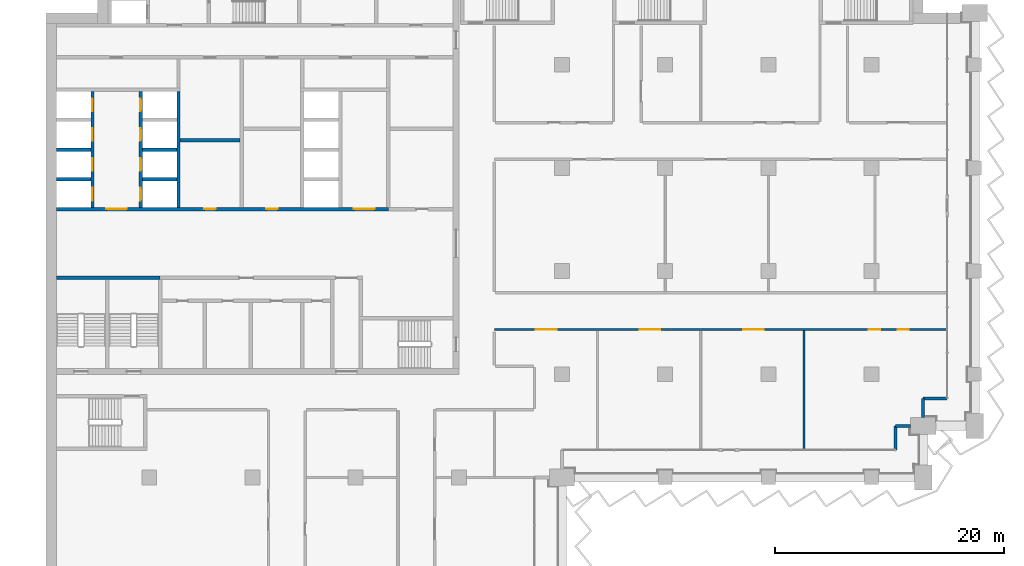
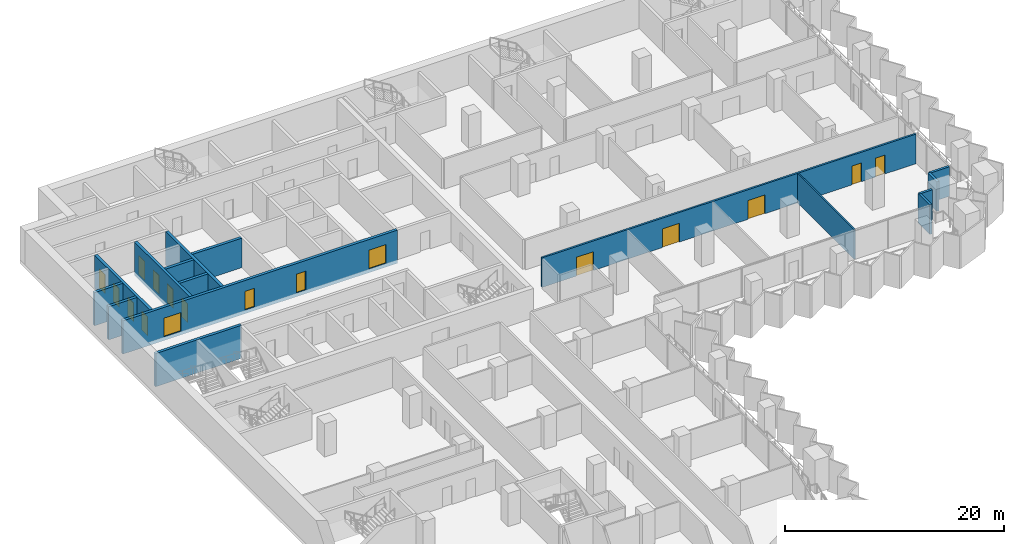
# One storey, part 12 of 22: 17 doors, 16 walls, 17 openings.
"""IFC4 building model written with IfcOpenShell, lengths in metres."""

import ifcopenshell
import ifcopenshell.guid

model = None  # the IFC model being written
_history = None  # IfcOwnerHistory: only IFC2X3 demands one
_inside = {}  # id of a spatial element -> (the spatial element, [elements in it])
_under = {}  # id of a project, library or spatial element -> (it, [spatial elements below it])
_declared = {}  # id of a project -> (the project, [libraries it declares])
_typed = {}  # id of a type object -> (the type object, [elements of that type])
_made_of = {}  # id of a material, layer set ... -> (it, [elements and type objects made of it])


def new_model(schema):
    """Start an empty IFC model of exactly this schema.

    Asked for "IFC4X3", IfcOpenShell would pick the latest addendum, in which some entities
    have other attributes; the version numbers below select the first issue.
    IFC2X3 requires an IfcOwnerHistory on every rooted entity: one is made here for all.
    """
    global model, _history
    if schema == "IFC4X3":
        model = ifcopenshell.file(schema_version=(4, 3, 0, 0))
    else:
        model = ifcopenshell.file(schema=schema)
    _inside.clear()
    _under.clear()
    _declared.clear()
    _typed.clear()
    _made_of.clear()
    _history = None
    if model.schema == "IFC2X3":
        org = make("IfcOrganization", Name="unknown")
        user = make(
            "IfcPersonAndOrganization",
            ThePerson=make("IfcPerson", FamilyName="unknown"),
            TheOrganization=org,
        )
        app = make(
            "IfcApplication",
            ApplicationDeveloper=org,
            Version="unknown",
            ApplicationFullName="unknown",
            ApplicationIdentifier="unknown",
        )
        _history = make(
            "IfcOwnerHistory",
            OwningUser=user,
            OwningApplication=app,
            ChangeAction="ADDED",
            CreationDate=0,
        )
    return model


def make(cls, **values):
    """One entity of the class cls with the attributes given. An attribute that is None is left unset."""
    return model.create_entity(
        cls, **{name: value for name, value in values.items() if value is not None}
    )


def rooted(cls, **values):
    """An entity with a GlobalId (a new one), such as an element, a storey or a relation."""
    return make(cls, GlobalId=ifcopenshell.guid.new(), OwnerHistory=_history, **values)


def si_unit(unit_type, name, prefix=None):
    """IfcSIUnit, for example si_unit("LENGTHUNIT", "METRE", prefix="MILLI")."""
    return make("IfcSIUnit", UnitType=unit_type, Prefix=prefix, Name=name)


def assignment(units):
    """IfcUnitAssignment: the units of a project."""
    return None if units is None else make("IfcUnitAssignment", Units=units)


def point(xyz):
    """IfcCartesianPoint."""
    return None if xyz is None else make("IfcCartesianPoint", Coordinates=xyz)


def direction(xyz):
    """IfcDirection."""
    return None if xyz is None else make("IfcDirection", DirectionRatios=xyz)


def frame(location, z_axis=None, x_axis=None):
    """IfcAxis2Placement3D, a coordinate frame: its origin and axes. An axis left out is left unset."""
    return make(
        "IfcAxis2Placement3D",
        Location=point(location),
        Axis=direction(z_axis),
        RefDirection=direction(x_axis),
    )


def frame_2d(location, x_axis=None):
    """IfcAxis2Placement2D, a coordinate frame in the plane: its origin and x axis."""
    return make(
        "IfcAxis2Placement2D", Location=point(location), RefDirection=direction(x_axis)
    )


def origin():
    """The frame at (0, 0, 0) with its axes left unset."""
    return frame((0.0, 0.0, 0.0))


def place(relative_to, where):
    """IfcLocalPlacement: puts the frame where relative to a parent placement (None: the world)."""
    return make(
        "IfcLocalPlacement", PlacementRelTo=relative_to, RelativePlacement=where
    )


def context(
    kind, dimensions, precision=None, world=None, true_north=None, identifier=None
):
    """IfcGeometricRepresentationContext, for example the 3D "Model" context."""
    return make(
        "IfcGeometricRepresentationContext",
        ContextIdentifier=identifier,
        ContextType=kind,
        CoordinateSpaceDimension=dimensions,
        Precision=precision,
        WorldCoordinateSystem=world,
        TrueNorth=true_north,
    )


def subcontext(parent, identifier, kind, view, scale=None):
    """IfcGeometricRepresentationSubContext, for example "Body" below "Model"."""
    return make(
        "IfcGeometricRepresentationSubContext",
        ContextIdentifier=identifier,
        ContextType=kind,
        ParentContext=parent,
        TargetScale=scale,
        TargetView=view,
    )


def project(units=None, contexts=None):
    """IfcProject with its units and contexts."""
    return rooted(
        "IfcProject",
        Name="project",
        RepresentationContexts=contexts,
        UnitsInContext=assignment(units),
    )


def spatial(cls, under=None, at=None, **own):
    """A site, building, storey or space (cls), placed at a placement, below another one or the project."""
    s = rooted(cls, ObjectPlacement=at, **own)
    if under is not None:
        _under.setdefault(under.id(), (under, []))[1].append(s)
    return s


def profile(cls, at=None, kind="AREA", **sizes):
    """A parametric profile (cls). Its sizes go by their IFC names, for example OverallWidth=200.0."""
    return make(cls, ProfileType=kind, Position=at, **sizes)


def rectangle(**sizes):
    """IfcRectangleProfileDef."""
    return profile("IfcRectangleProfileDef", **sizes)


def extrude(swept, where, along, depth):
    """IfcExtrudedAreaSolid: the profile swept, set in the frame where, extruded along a direction by depth."""
    return make(
        "IfcExtrudedAreaSolid",
        SweptArea=swept,
        Position=where,
        ExtrudedDirection=direction(along),
        Depth=depth,
    )


def shape(context_of_items, identifier, shape_type, items):
    """IfcShapeRepresentation: the items that make up one representation, for example the "Body"."""
    return make(
        "IfcShapeRepresentation",
        ContextOfItems=context_of_items,
        RepresentationIdentifier=identifier,
        RepresentationType=shape_type,
        Items=items,
    )


def material(Name=None, Category=None):
    """IfcMaterial."""
    return make("IfcMaterial", Name=Name, Category=Category)


def layer(
    of_material, thickness, ventilated=None, Name=None, Category=None, Priority=None
):
    """IfcMaterialLayer: one layer of a wall or slab, of a material (None: an air gap)."""
    return make(
        "IfcMaterialLayer",
        Material=of_material,
        LayerThickness=thickness,
        IsVentilated=ventilated,
        Name=Name,
        Category=Category,
        Priority=Priority,
    )


def layer_set(layers, Name=None):
    """IfcMaterialLayerSet."""
    return make("IfcMaterialLayerSet", MaterialLayers=layers, LayerSetName=Name)


def made_of(thing, what):
    """Note that an element or type object is made of a material, layer set ...; save() writes the relation."""
    if what is not None:
        _made_of.setdefault(what.id(), (what, []))[1].append(thing)
    return thing


def type_object(cls, material=None, **own):
    """A type object (cls), such as IfcWallType, which elements share."""
    return made_of(rooted(cls, **own), material)


def element(
    cls,
    number,
    at=None,
    inside=None,
    cuts=None,
    type_object=None,
    material=None,
    context=None,
    identifier="Body",
    shape_type=None,
    held_by="IfcProductDefinitionShape",
    body=None,
    shapes=None,
    **own,
):
    """One element of the class cls, such as IfcWall. Its Tag is "e" and its number.

    at: its placement. inside: the storey or other place that contains it. cuts: it is an
    opening in that element (IfcRelVoidsElement). A single representation is given by context,
    identifier, shape_type and body (its items); several are given by shapes. held_by: the class
    of the entity that holds the representations. save() writes the other relations.
    """
    e = rooted(cls, Tag="e%d" % number, ObjectPlacement=at, **own)
    if body is not None:
        shapes = [shape(context, identifier, shape_type, body)]
    if shapes is not None:
        e.Representation = make(held_by, Representations=shapes)
    if inside is not None:
        _inside.setdefault(inside.id(), (inside, []))[1].append(e)
    if cuts is not None:
        rooted(
            "IfcRelVoidsElement", RelatingBuildingElement=cuts, RelatedOpeningElement=e
        )
    if type_object is not None:
        _typed.setdefault(type_object.id(), (type_object, []))[1].append(e)
    return made_of(e, material)


def fill(opening, filler):
    """IfcRelFillsElement: the door or window that sits in an opening."""
    return rooted(
        "IfcRelFillsElement",
        RelatingOpeningElement=opening,
        RelatedBuildingElement=filler,
    )


def aggregate(whole, parts):
    """IfcRelAggregates: a whole, such as a stair, and the parts it consists of."""
    return rooted("IfcRelAggregates", RelatingObject=whole, RelatedObjects=parts)


def save(model, path):
    """Write the relations noted so far, then the file.

    IfcRelAggregates (storeys below a building ...), IfcRelContainedInSpatialStructure (elements
    in a storey), IfcRelDefinesByType, IfcRelAssociatesMaterial and IfcRelDeclares: one each for
    every whole, place, type object, material and project.
    """
    for whole, parts in _under.values():
        aggregate(whole, parts)
    for where, things in _inside.values():
        rooted(
            "IfcRelContainedInSpatialStructure",
            RelatedElements=things,
            RelatingStructure=where,
        )
    for kind, things in _typed.values():
        rooted("IfcRelDefinesByType", RelatedObjects=things, RelatingType=kind)
    for what, things in _made_of.values():
        rooted("IfcRelAssociatesMaterial", RelatedObjects=things, RelatingMaterial=what)
    for by, libraries in _declared.values():
        rooted("IfcRelDeclares", RelatingContext=by, RelatedDefinitions=libraries)
    model.write(path)


model = new_model("IFC4")

# Units and contexts
model_context = context("Model", 3, precision=1e-05, world=origin(), true_north=direction((0.0, 1.0)))
body_context = subcontext(model_context, "Body", "Model", "MODEL_VIEW")
ifc_project = project(units=[si_unit("LENGTHUNIT", "METRE"), si_unit("AREAUNIT", "SQUARE_METRE"), si_unit("VOLUMEUNIT", "CUBIC_METRE"), si_unit("PLANEANGLEUNIT", "RADIAN"), si_unit("MASSUNIT", "GRAM", prefix="KILO")], contexts=[model_context])

# Site, building, storey
site_placement = place(None, origin())
site = spatial("IfcSite", under=ifc_project, at=site_placement, CompositionType="ELEMENT")
building_placement = place(site_placement, origin())
building = spatial("IfcBuilding", under=site, at=building_placement, Name="Hunhe Ridgeline Campus", CompositionType="ELEMENT")
storey_placement = place(building_placement, frame((0.0, 0.0, 88.5)))
storey = spatial("IfcBuildingStorey", under=building, at=storey_placement, Name="L21", CompositionType="ELEMENT", Elevation=88.5)

# Walls
ifc_material_1 = material(Name="Masonry concrete blockwork", Category="masonry")
ifc_layer_1 = layer(ifc_material_1, 0.300048828125)
ifc_layer_set_1 = layer_set([ifc_layer_1], Name="Core room partition 300 concrete block")
wall_type_1 = type_object("IfcWallType", Name="Core room partition 300 concrete block", PredefinedType="PARTITIONING", material=ifc_layer_set_1)
wall_1_placement = place(storey_placement, frame((11.699951171875, 83.39990234375, 0.0), z_axis=(0.0, 0.0, 1.0), x_axis=(1.0, 0.0, 0.0)))
element("IfcWall", 1, at=wall_1_placement, inside=storey, type_object=wall_type_1, Name="L21 core partition 20", PredefinedType="PARTITIONING", context=body_context, shape_type="SweptSolid", body=[
    extrude(rectangle(XDim=5.199951171875, YDim=0.300048828125, at=frame_2d((2.60009765625, 0.0))), origin(), (0.0, 0.0, 1.0), 3.300048828125),
])
ifc_material_2 = material(Name="Concrete C30", Category="concrete")
ifc_layer_2 = layer(ifc_material_2, 0.25)
ifc_layer_set_2 = layer_set([ifc_layer_2], Name="Corner return wall 250 Concrete C30")
wall_type_2 = type_object("IfcWallType", Name="Corner return wall 250 Concrete C30", PredefinedType="SOLIDWALL", material=ifc_layer_set_2)
wall_2_placement = place(storey_placement, frame((74.09912109375, 56.40087890625, 0.0), z_axis=(0.0, 0.0, 1.0), x_axis=(0.00011626555, 0.999999993241, 0.0)))
element("IfcWall", 2, at=wall_2_placement, inside=storey, type_object=wall_type_2, Name="Corner return wall 4", PredefinedType="SOLIDWALL", context=body_context, shape_type="SweptSolid", body=[
    extrude(rectangle(XDim=2.099853515625, YDim=0.25, at=frame_2d((1.0498046875, 0.0))), origin(), (0.0, 0.0, 1.0), 3.300048828125),
])
wall_3_placement = place(storey_placement, frame((74.099365234375, 58.500732421875, 0.0), z_axis=(0.0, 0.0, 1.0), x_axis=(0.99999998238, 0.000187722918, 0.0)))
element("IfcWall", 3, at=wall_3_placement, inside=storey, type_object=wall_type_2, Name="Corner return wall 5", PredefinedType="SOLIDWALL", context=body_context, shape_type="SweptSolid", body=[
    extrude(rectangle(XDim=1.300537109375, YDim=0.25, at=frame_2d((0.650390625, 0.0))), origin(), (0.0, 0.0, 1.0), 3.300048828125),
])
wall_4_placement = place(storey_placement, frame((76.4990234375, 59.25, 0.0), z_axis=(0.0, 0.0, 1.0), x_axis=(0.000147907113, 0.999999989062, 0.0)))
element("IfcWall", 4, at=wall_4_placement, inside=storey, type_object=wall_type_2, Name="Corner return wall 6", PredefinedType="SOLIDWALL", context=body_context, shape_type="SweptSolid", body=[
    extrude(rectangle(XDim=1.650634765625, YDim=0.25, at=frame_2d((0.8251953125, 0.0))), origin(), (0.0, 0.0, 1.0), 3.300048828125),
])
wall_5_placement = place(storey_placement, frame((76.499267578125, 60.900634765625, 0.0), z_axis=(0.0, 0.0, 1.0), x_axis=(0.999999993241, 0.00011626555, 0.0)))
element("IfcWall", 5, at=wall_5_placement, inside=storey, type_object=wall_type_2, Name="Corner return wall 7", PredefinedType="SOLIDWALL", context=body_context, shape_type="SweptSolid", body=[
    extrude(rectangle(XDim=2.099853515625, YDim=0.25, at=frame_2d((1.0498046875, 0.0))), origin(), (0.0, 0.0, 1.0), 3.300048828125),
])

# Wall, openings, doors
ifc_material_3 = material(Name="Gypsum board partition")
ifc_layer_3 = layer(ifc_material_3, 0.199951171875)
ifc_layer_set_3 = layer_set([ifc_layer_3], Name="Corridor partition 200 gypsum board on steel studs")
wall_type_3 = type_object("IfcWallType", Name="Corridor partition 200 gypsum board on steel studs", PredefinedType="PARTITIONING", material=ifc_layer_set_3)
wall_6_placement = place(storey_placement, frame((78.544921875, 66.89990234375, 0.0), z_axis=(0.0, 0.0, 1.0), x_axis=(-1.0, 0.0, 0.0)))
wall_6 = element("IfcWall", 6, at=wall_6_placement, inside=storey, type_object=wall_type_3, Name="F-L21-wall-038", PredefinedType="PARTITIONING", context=body_context, shape_type="SweptSolid", body=[
    extrude(rectangle(XDim=39.44482421875, YDim=0.199951171875, at=frame_2d((19.722412109375, 0.0))), origin(), (0.0, 0.0, 1.0), 3.300048828125),
])
opening_1_placement = place(wall_6_placement, frame((34.022705078125, 0.0, 0.0)))
opening_1 = element("IfcOpeningElement", 7, at=opening_1_placement, cuts=wall_6, Name="Opening RD2-022", PredefinedType="OPENING", context=body_context, shape_type="SweptSolid", body=[
    extrude(rectangle(XDim=1.800048828125, YDim=2.10009765625, at=frame_2d((0.89990234375, 1.050048828125))), frame((0.0, 0.10009765625, 0.0), z_axis=(0.0, -1.0, 0.0), x_axis=(1.0, 0.0, 0.0)), (0.0, 0.0, 1.0), 0.199951171875),
])
opening_2_placement = place(wall_6_placement, frame((24.977783203125, 0.0, 0.0)))
opening_2 = element("IfcOpeningElement", 8, at=opening_2_placement, cuts=wall_6, Name="Opening RD2-023", PredefinedType="OPENING", context=body_context, shape_type="SweptSolid", body=[
    extrude(rectangle(XDim=1.800048828125, YDim=2.10009765625, at=frame_2d((0.89990234375, 1.050048828125))), frame((0.0, 0.10009765625, 0.0), z_axis=(0.0, -1.0, 0.0), x_axis=(1.0, 0.0, 0.0)), (0.0, 0.0, 1.0), 0.199951171875),
])
opening_3_placement = place(wall_6_placement, frame((15.93310546875, 0.0, 0.0)))
opening_3 = element("IfcOpeningElement", 9, at=opening_3_placement, cuts=wall_6, Name="Opening RD2-024", PredefinedType="OPENING", context=body_context, shape_type="SweptSolid", body=[
    extrude(rectangle(XDim=1.800048828125, YDim=2.10009765625, at=frame_2d((0.89990234375, 1.050048828125))), frame((0.0, 0.10009765625, 0.0), z_axis=(0.0, -1.0, 0.0), x_axis=(1.0, 0.0, 0.0)), (0.0, 0.0, 1.0), 0.199951171875),
])
opening_4_placement = place(wall_6_placement, frame((5.781005859375, 0.0, 0.0)))
opening_4 = element("IfcOpeningElement", 10, at=opening_4_placement, cuts=wall_6, Name="Opening RD1-025", PredefinedType="OPENING", context=body_context, shape_type="SweptSolid", body=[
    extrude(rectangle(XDim=1.0, YDim=2.10009765625, at=frame_2d((0.5, 1.050048828125))), frame((0.0, 0.10009765625, 0.0), z_axis=(0.0, -1.0, 0.0), x_axis=(1.0, 0.0, 0.0)), (0.0, 0.0, 1.0), 0.199951171875),
])
opening_5_placement = place(wall_6_placement, frame((3.281005859375, 0.0, 0.0)))
opening_5 = element("IfcOpeningElement", 11, at=opening_5_placement, cuts=wall_6, Name="Opening RD1-026", PredefinedType="OPENING", context=body_context, shape_type="SweptSolid", body=[
    extrude(rectangle(XDim=1.0, YDim=2.10009765625, at=frame_2d((0.5, 1.050048828125))), frame((0.0, 0.10009765625, 0.0), z_axis=(0.0, -1.0, 0.0), x_axis=(1.0, 0.0, 0.0)), (0.0, 0.0, 1.0), 0.199951171875),
])
ifc_material_4 = material(Name="Timber door leaf", Category="wood")
door_type_1 = type_object("IfcDoorType", Name="Double fire door 1800x2100 timber FD60", OperationType="DOUBLE_DOOR_SINGLE_SWING", PredefinedType="DOOR", material=ifc_material_4)
door_1_placement = place(opening_1_placement, origin())
door_1 = element("IfcDoor", 12, at=door_1_placement, inside=storey, type_object=door_type_1, Name="F-L21-door-022", OperationType="DOUBLE_DOOR_SINGLE_SWING", OverallHeight=2.10009765625, OverallWidth=1.800048828125, PredefinedType="DOOR", context=body_context, shape_type="SweptSolid", body=[
    extrude(rectangle(XDim=1.800048828125, YDim=2.10009765625, at=frame_2d((0.89990234375, 1.050048828125))), frame((0.0, 0.02490234375, 0.0), z_axis=(0.0, -1.0, 0.0), x_axis=(1.0, 0.0, 0.0)), (0.0, 0.0, 1.0), 0.050048828125),
])
fill(opening_1, door_1)
door_2_placement = place(opening_2_placement, origin())
door_2 = element("IfcDoor", 13, at=door_2_placement, inside=storey, type_object=door_type_1, Name="F-L21-door-023", OperationType="DOUBLE_DOOR_SINGLE_SWING", OverallHeight=2.10009765625, OverallWidth=1.800048828125, PredefinedType="DOOR", context=body_context, shape_type="SweptSolid", body=[
    extrude(rectangle(XDim=1.800048828125, YDim=2.10009765625, at=frame_2d((0.89990234375, 1.050048828125))), frame((0.0, 0.02490234375, 0.0), z_axis=(0.0, -1.0, 0.0), x_axis=(1.0, 0.0, 0.0)), (0.0, 0.0, 1.0), 0.050048828125),
])
fill(opening_2, door_2)
door_3_placement = place(opening_3_placement, origin())
door_3 = element("IfcDoor", 14, at=door_3_placement, inside=storey, type_object=door_type_1, Name="F-L21-door-024", OperationType="DOUBLE_DOOR_SINGLE_SWING", OverallHeight=2.10009765625, OverallWidth=1.800048828125, PredefinedType="DOOR", context=body_context, shape_type="SweptSolid", body=[
    extrude(rectangle(XDim=1.800048828125, YDim=2.10009765625, at=frame_2d((0.89990234375, 1.050048828125))), frame((0.0, 0.02490234375, 0.0), z_axis=(0.0, -1.0, 0.0), x_axis=(1.0, 0.0, 0.0)), (0.0, 0.0, 1.0), 0.050048828125),
])
fill(opening_3, door_3)
door_type_2 = type_object("IfcDoorType", Name="Single fire door 1000x2100 timber FD60", OperationType="NOTDEFINED", PredefinedType="DOOR", material=ifc_material_4)
door_4_placement = place(opening_4_placement, frame((1.0, 0.0, 0.0), z_axis=(0.0, 0.0, 1.0), x_axis=(-1.0, 0.0, 0.0)))
door_4 = element("IfcDoor", 15, at=door_4_placement, inside=storey, type_object=door_type_2, Name="F-L21-door-025", OperationType="SINGLE_SWING_RIGHT", OverallHeight=2.10009765625, OverallWidth=1.0, PredefinedType="DOOR", context=body_context, shape_type="SweptSolid", body=[
    extrude(rectangle(XDim=1.0, YDim=2.10009765625, at=frame_2d((0.5, 1.050048828125))), frame((0.0, 0.02490234375, 0.0), z_axis=(0.0, -1.0, 0.0), x_axis=(1.0, 0.0, 0.0)), (0.0, 0.0, 1.0), 0.050048828125),
])
fill(opening_4, door_4)
door_5_placement = place(opening_5_placement, frame((1.0, 0.0, 0.0), z_axis=(0.0, 0.0, 1.0), x_axis=(-1.0, 0.0, 0.0)))
door_5 = element("IfcDoor", 16, at=door_5_placement, inside=storey, type_object=door_type_2, Name="F-L21-door-026", OperationType="SINGLE_SWING_RIGHT", OverallHeight=2.10009765625, OverallWidth=1.0, PredefinedType="DOOR", context=body_context, shape_type="SweptSolid", body=[
    extrude(rectangle(XDim=1.0, YDim=2.10009765625, at=frame_2d((0.5, 1.050048828125))), frame((0.0, 0.02490234375, 0.0), z_axis=(0.0, -1.0, 0.0), x_axis=(1.0, 0.0, 0.0)), (0.0, 0.0, 1.0), 0.050048828125),
])
fill(opening_5, door_5)

# Wall
ifc_layer_4 = layer(ifc_material_3, 0.14990234375)
ifc_layer_set_4 = layer_set([ifc_layer_4], Name="Room partition 150 gypsum board on steel studs")
wall_type_4 = type_object("IfcWallType", Name="Room partition 150 gypsum board on steel studs", PredefinedType="PARTITIONING", material=ifc_layer_set_4)
wall_7_placement = place(storey_placement, frame((66.10009765625, 66.800048828125, 0.0), z_axis=(0.0, 0.0, 1.0), x_axis=(0.0, -1.0, 0.0)))
element("IfcWall", 17, at=wall_7_placement, inside=storey, type_object=wall_type_4, Name="F-L21-wall-069", PredefinedType="PARTITIONING", context=body_context, shape_type="SweptSolid", body=[
    extrude(rectangle(XDim=10.344970703125, YDim=0.14990234375, at=frame_2d((5.17236328125, 0.0))), origin(), (0.0, 0.0, 1.0), 3.300048828125),
])

# Wall, openings, doors
ifc_material_5 = material(Name="Concrete C80", Category="concrete")
ifc_layer_5 = layer(ifc_material_5, 0.300048828125)
ifc_layer_set_5 = layer_set([ifc_layer_5], Name="Shaft wall 300 reinforced concrete C80")
wall_type_5 = type_object("IfcWallType", Name="Shaft wall 300 reinforced concrete C80", PredefinedType="SOLIDWALL", material=ifc_layer_set_5)
wall_8_placement = place(storey_placement, frame((0.89990234375, 77.39990234375, -0.39990234375), z_axis=(0.0, 0.0, 1.0), x_axis=(1.0, 0.0, 0.0)))
wall_8 = element("IfcWall", 18, at=wall_8_placement, inside=storey, type_object=wall_type_5, Name="L21 core wall 12", PredefinedType="SOLIDWALL", context=body_context, shape_type="SweptSolid", body=[
    extrude(rectangle(XDim=28.9501953125, YDim=0.300048828125, at=frame_2d((14.47509765625, 0.0))), origin(), (0.0, 0.0, 1.0), 3.699951171875),
])
opening_6_placement = place(wall_8_placement, frame((4.35009765625, 0.0, 0.39990234375)))
opening_6 = element("IfcOpeningElement", 19, at=opening_6_placement, cuts=wall_8, Name="Opening CD1", PredefinedType="OPENING", context=body_context, shape_type="SweptSolid", body=[
    extrude(rectangle(XDim=1.800048828125, YDim=2.10009765625, at=frame_2d((0.89990234375, 1.050048828125))), frame((0.0, 0.14990234375, 0.0), z_axis=(0.0, -1.0, 0.0), x_axis=(1.0, 0.0, 0.0)), (0.0, 0.0, 1.0), 0.300048828125),
])
opening_7_placement = place(wall_8_placement, frame((25.949951171875, 0.0, 0.39990234375)))
opening_7 = element("IfcOpeningElement", 20, at=opening_7_placement, cuts=wall_8, Name="Opening CD2", PredefinedType="OPENING", context=body_context, shape_type="SweptSolid", body=[
    extrude(rectangle(XDim=1.800048828125, YDim=2.10009765625, at=frame_2d((0.89990234375, 1.050048828125))), frame((0.0, 0.14990234375, 0.0), z_axis=(0.0, -1.0, 0.0), x_axis=(1.0, 0.0, 0.0)), (0.0, 0.0, 1.0), 0.300048828125),
])
opening_8_placement = place(wall_8_placement, frame((12.89990234375, 0.0, 0.39990234375)))
opening_8 = element("IfcOpeningElement", 21, at=opening_8_placement, cuts=wall_8, Name="Opening CD28", PredefinedType="OPENING", context=body_context, shape_type="SweptSolid", body=[
    extrude(rectangle(XDim=1.0, YDim=2.10009765625, at=frame_2d((0.5, 1.050048828125))), frame((0.0, 0.14990234375, 0.0), z_axis=(0.0, -1.0, 0.0), x_axis=(1.0, 0.0, 0.0)), (0.0, 0.0, 1.0), 0.300048828125),
])
opening_9_placement = place(wall_8_placement, frame((18.300048828125, 0.0, 0.39990234375)))
opening_9 = element("IfcOpeningElement", 22, at=opening_9_placement, cuts=wall_8, Name="Opening CD30", PredefinedType="OPENING", context=body_context, shape_type="SweptSolid", body=[
    extrude(rectangle(XDim=1.0, YDim=2.10009765625, at=frame_2d((0.5, 1.050048828125))), frame((0.0, 0.14990234375, 0.0), z_axis=(0.0, -1.0, 0.0), x_axis=(1.0, 0.0, 0.0)), (0.0, 0.0, 1.0), 0.300048828125),
])
ifc_material_6 = material(Name="Hollow metal fire door leaf")
door_type_3 = type_object("IfcDoorType", Name="Lobby door 1800x2100 FD60", OperationType="SINGLE_SWING_LEFT", PredefinedType="DOOR", material=ifc_material_6)
door_6_placement = place(opening_6_placement, frame((1.800048828125, 0.0, 0.0), z_axis=(0.0, 0.0, 1.0), x_axis=(-1.0, 0.0, 0.0)))
door_6 = element("IfcDoor", 23, at=door_6_placement, inside=storey, type_object=door_type_3, Name="L21 door LOB-LR", OperationType="SINGLE_SWING_RIGHT", OverallHeight=2.10009765625, OverallWidth=1.800048828125, PredefinedType="DOOR", context=body_context, shape_type="SweptSolid", body=[
    extrude(rectangle(XDim=1.800048828125, YDim=2.10009765625, at=frame_2d((0.89990234375, 1.050048828125))), frame((0.0, 0.02490234375, 0.0), z_axis=(0.0, -1.0, 0.0), x_axis=(1.0, 0.0, 0.0)), (0.0, 0.0, 1.0), 0.050048828125),
])
fill(opening_6, door_6)
door_7_placement = place(opening_7_placement, frame((1.800048828125, 0.0, 0.0), z_axis=(0.0, 0.0, 1.0), x_axis=(-1.0, 0.0, 0.0)))
door_7 = element("IfcDoor", 24, at=door_7_placement, inside=storey, type_object=door_type_3, Name="L21 door LOB-SH", OperationType="SINGLE_SWING_LEFT", OverallHeight=2.10009765625, OverallWidth=1.800048828125, PredefinedType="DOOR", context=body_context, shape_type="SweptSolid", body=[
    extrude(rectangle(XDim=1.800048828125, YDim=2.10009765625, at=frame_2d((0.89990234375, 1.050048828125))), frame((0.0, 0.02490234375, 0.0), z_axis=(0.0, -1.0, 0.0), x_axis=(1.0, 0.0, 0.0)), (0.0, 0.0, 1.0), 0.050048828125),
])
fill(opening_7, door_7)
ifc_material_7 = material(Name="Solid core timber door leaf", Category="wood")
door_type_4 = type_object("IfcDoorType", Name="Timber door 1000x2100", OperationType="SINGLE_SWING_LEFT", PredefinedType="DOOR", material=ifc_material_7)
door_8_placement = place(opening_8_placement, origin())
door_8 = element("IfcDoor", 25, at=door_8_placement, inside=storey, type_object=door_type_4, Name="L21 door VD-HR0", OperationType="SINGLE_SWING_LEFT", OverallHeight=2.10009765625, OverallWidth=1.0, PredefinedType="DOOR", context=body_context, shape_type="SweptSolid", body=[
    extrude(rectangle(XDim=1.0, YDim=2.10009765625, at=frame_2d((0.5, 1.050048828125))), frame((0.0, 0.02490234375, 0.0), z_axis=(0.0, -1.0, 0.0), x_axis=(1.0, 0.0, 0.0)), (0.0, 0.0, 1.0), 0.050048828125),
])
fill(opening_8, door_8)
door_9_placement = place(opening_9_placement, origin())
door_9 = element("IfcDoor", 26, at=door_9_placement, inside=storey, type_object=door_type_4, Name="L21 door VD-HR2", OperationType="SINGLE_SWING_LEFT", OverallHeight=2.10009765625, OverallWidth=1.0, PredefinedType="DOOR", context=body_context, shape_type="SweptSolid", body=[
    extrude(rectangle(XDim=1.0, YDim=2.10009765625, at=frame_2d((0.5, 1.050048828125))), frame((0.0, 0.02490234375, 0.0), z_axis=(0.0, -1.0, 0.0), x_axis=(1.0, 0.0, 0.0)), (0.0, 0.0, 1.0), 0.050048828125),
])
fill(opening_9, door_9)

# Walls
for number, where, z_axis, x_axis, name in (
    (27, (0.89990234375, 80.0, -0.39990234375), (0.0, 0.0, 1.0), (1.0, 0.0, 0.0), "L21 core wall 14"),
    (28, (8.39990234375, 80.0, -0.39990234375), (0.0, 0.0, 1.0), (1.0, 0.0, 0.0), "L21 core wall 15"),
    (29, (0.89990234375, 82.60009765625, -0.39990234375), (0.0, 0.0, 1.0), (1.0, 0.0, 0.0), "L21 core wall 17"),
    (30, (8.39990234375, 82.60009765625, -0.39990234375), (0.0, 0.0, 1.0), (1.0, 0.0, 0.0), "L21 core wall 18"),
):
    element("IfcWall", number, at=place(storey_placement, frame(where, z_axis=z_axis, x_axis=x_axis)), inside=storey, type_object=wall_type_5, Name=name, PredefinedType="SOLIDWALL", context=body_context, shape_type="SweptSolid", body=[
        extrude(rectangle(XDim=3.0, YDim=0.300048828125, at=frame_2d((1.5, 0.0))), origin(), (0.0, 0.0, 1.0), 3.699951171875),
    ])

# Wall, openings, doors
wall_9_placement = place(storey_placement, frame((4.050048828125, 77.550048828125, -0.39990234375), z_axis=(0.0, 0.0, 1.0), x_axis=(0.0, 1.0, 0.0)))
wall_9 = element("IfcWall", 31, at=wall_9_placement, inside=storey, type_object=wall_type_5, Name="L21 core wall 34", PredefinedType="SOLIDWALL", context=body_context, shape_type="SweptSolid", body=[
    extrude(rectangle(XDim=10.099853515625, YDim=0.300048828125, at=frame_2d((5.0498046875, 0.0))), origin(), (0.0, 0.0, 1.0), 3.699951171875),
])
opening_10_placement = place(wall_9_placement, frame((0.60009765625, 0.0, 0.39990234375)))
opening_10 = element("IfcOpeningElement", 32, at=opening_10_placement, cuts=wall_9, Name="Opening LD-LR1", PredefinedType="OPENING", context=body_context, shape_type="SweptSolid", body=[
    extrude(rectangle(XDim=1.10009765625, YDim=2.10009765625, at=frame_2d((0.550048828125, 1.050048828125))), frame((0.0, 0.14990234375, 0.0), z_axis=(0.0, -1.0, 0.0), x_axis=(1.0, 0.0, 0.0)), (0.0, 0.0, 1.0), 0.300048828125),
])
opening_11_placement = place(wall_9_placement, frame((3.199951171875, 0.0, 0.39990234375)))
opening_11 = element("IfcOpeningElement", 33, at=opening_11_placement, cuts=wall_9, Name="Opening LD-LR2", PredefinedType="OPENING", context=body_context, shape_type="SweptSolid", body=[
    extrude(rectangle(XDim=1.10009765625, YDim=2.10009765625, at=frame_2d((0.550048828125, 1.050048828125))), frame((0.0, 0.14990234375, 0.0), z_axis=(0.0, -1.0, 0.0), x_axis=(1.0, 0.0, 0.0)), (0.0, 0.0, 1.0), 0.300048828125),
])
opening_12_placement = place(wall_9_placement, frame((5.800048828125, 0.0, 0.39990234375)))
opening_12 = element("IfcOpeningElement", 34, at=opening_12_placement, cuts=wall_9, Name="Opening LD-LR3", PredefinedType="OPENING", context=body_context, shape_type="SweptSolid", body=[
    extrude(rectangle(XDim=1.10009765625, YDim=2.10009765625, at=frame_2d((0.550048828125, 1.050048828125))), frame((0.0, 0.14990234375, 0.0), z_axis=(0.0, -1.0, 0.0), x_axis=(1.0, 0.0, 0.0)), (0.0, 0.0, 1.0), 0.300048828125),
])
opening_13_placement = place(wall_9_placement, frame((8.39990234375, 0.0, 0.39990234375)))
opening_13 = element("IfcOpeningElement", 35, at=opening_13_placement, cuts=wall_9, Name="Opening LD-LR4", PredefinedType="OPENING", context=body_context, shape_type="SweptSolid", body=[
    extrude(rectangle(XDim=1.10009765625, YDim=2.10009765625, at=frame_2d((0.550048828125, 1.050048828125))), frame((0.0, 0.14990234375, 0.0), z_axis=(0.0, -1.0, 0.0), x_axis=(1.0, 0.0, 0.0)), (0.0, 0.0, 1.0), 0.300048828125),
])
ifc_material_8 = material(Name="Stainless steel sliding leaves", Category="steel")
door_type_5 = type_object("IfcDoorType", Name="Landing door 1100x2100 FD120", OperationType="SLIDING_TO_LEFT", PredefinedType="DOOR", material=ifc_material_8)
door_10_placement = place(opening_10_placement, origin())
door_10 = element("IfcDoor", 36, at=door_10_placement, inside=storey, type_object=door_type_5, Name="L21 landing door LR1", OperationType="SLIDING_TO_RIGHT", OverallHeight=2.10009765625, OverallWidth=1.10009765625, PredefinedType="DOOR", context=body_context, shape_type="SweptSolid", body=[
    extrude(rectangle(XDim=1.10009765625, YDim=2.10009765625, at=frame_2d((0.550048828125, 1.050048828125))), frame((0.0, 0.02490234375, 0.0), z_axis=(0.0, -1.0, 0.0), x_axis=(1.0, 0.0, 0.0)), (0.0, 0.0, 1.0), 0.050048828125),
])
fill(opening_10, door_10)
door_11_placement = place(opening_11_placement, origin())
door_11 = element("IfcDoor", 37, at=door_11_placement, inside=storey, type_object=door_type_5, Name="L21 landing door LR2", OperationType="SLIDING_TO_LEFT", OverallHeight=2.10009765625, OverallWidth=1.10009765625, PredefinedType="DOOR", context=body_context, shape_type="SweptSolid", body=[
    extrude(rectangle(XDim=1.10009765625, YDim=2.10009765625, at=frame_2d((0.550048828125, 1.050048828125))), frame((0.0, 0.02490234375, 0.0), z_axis=(0.0, -1.0, 0.0), x_axis=(1.0, 0.0, 0.0)), (0.0, 0.0, 1.0), 0.050048828125),
])
fill(opening_11, door_11)
door_12_placement = place(opening_12_placement, origin())
door_12 = element("IfcDoor", 38, at=door_12_placement, inside=storey, type_object=door_type_5, Name="L21 landing door LR3", OperationType="SLIDING_TO_RIGHT", OverallHeight=2.10009765625, OverallWidth=1.10009765625, PredefinedType="DOOR", context=body_context, shape_type="SweptSolid", body=[
    extrude(rectangle(XDim=1.10009765625, YDim=2.10009765625, at=frame_2d((0.550048828125, 1.050048828125))), frame((0.0, 0.02490234375, 0.0), z_axis=(0.0, -1.0, 0.0), x_axis=(1.0, 0.0, 0.0)), (0.0, 0.0, 1.0), 0.050048828125),
])
fill(opening_12, door_12)
door_13_placement = place(opening_13_placement, origin())
door_13 = element("IfcDoor", 39, at=door_13_placement, inside=storey, type_object=door_type_5, Name="L21 landing door LR4", OperationType="SLIDING_TO_LEFT", OverallHeight=2.10009765625, OverallWidth=1.10009765625, PredefinedType="DOOR", context=body_context, shape_type="SweptSolid", body=[
    extrude(rectangle(XDim=1.10009765625, YDim=2.10009765625, at=frame_2d((0.550048828125, 1.050048828125))), frame((0.0, 0.02490234375, 0.0), z_axis=(0.0, -1.0, 0.0), x_axis=(1.0, 0.0, 0.0)), (0.0, 0.0, 1.0), 0.050048828125),
])
fill(opening_13, door_13)

wall_10_placement = place(storey_placement, frame((8.25, 77.550048828125, -0.39990234375), z_axis=(0.0, 0.0, 1.0), x_axis=(0.0, 1.0, 0.0)))
wall_10 = element("IfcWall", 40, at=wall_10_placement, inside=storey, type_object=wall_type_5, Name="L21 core wall 37", PredefinedType="SOLIDWALL", context=body_context, shape_type="SweptSolid", body=[
    extrude(rectangle(XDim=10.099853515625, YDim=0.300048828125, at=frame_2d((5.0498046875, 0.0))), origin(), (0.0, 0.0, 1.0), 3.699951171875),
])
opening_14_placement = place(wall_10_placement, frame((0.60009765625, 0.0, 0.39990234375)))
opening_14 = element("IfcOpeningElement", 41, at=opening_14_placement, cuts=wall_10, Name="Opening LD-LR5", PredefinedType="OPENING", context=body_context, shape_type="SweptSolid", body=[
    extrude(rectangle(XDim=1.10009765625, YDim=2.10009765625, at=frame_2d((0.550048828125, 1.050048828125))), frame((0.0, 0.14990234375, 0.0), z_axis=(0.0, -1.0, 0.0), x_axis=(1.0, 0.0, 0.0)), (0.0, 0.0, 1.0), 0.300048828125),
])
opening_15_placement = place(wall_10_placement, frame((3.199951171875, 0.0, 0.39990234375)))
opening_15 = element("IfcOpeningElement", 42, at=opening_15_placement, cuts=wall_10, Name="Opening LD-LR6", PredefinedType="OPENING", context=body_context, shape_type="SweptSolid", body=[
    extrude(rectangle(XDim=1.10009765625, YDim=2.10009765625, at=frame_2d((0.550048828125, 1.050048828125))), frame((0.0, 0.14990234375, 0.0), z_axis=(0.0, -1.0, 0.0), x_axis=(1.0, 0.0, 0.0)), (0.0, 0.0, 1.0), 0.300048828125),
])
opening_16_placement = place(wall_10_placement, frame((5.800048828125, 0.0, 0.39990234375)))
opening_16 = element("IfcOpeningElement", 43, at=opening_16_placement, cuts=wall_10, Name="Opening LD-LR7", PredefinedType="OPENING", context=body_context, shape_type="SweptSolid", body=[
    extrude(rectangle(XDim=1.10009765625, YDim=2.10009765625, at=frame_2d((0.550048828125, 1.050048828125))), frame((0.0, 0.14990234375, 0.0), z_axis=(0.0, -1.0, 0.0), x_axis=(1.0, 0.0, 0.0)), (0.0, 0.0, 1.0), 0.300048828125),
])
opening_17_placement = place(wall_10_placement, frame((8.39990234375, 0.0, 0.39990234375)))
opening_17 = element("IfcOpeningElement", 44, at=opening_17_placement, cuts=wall_10, Name="Opening LD-LR8", PredefinedType="OPENING", context=body_context, shape_type="SweptSolid", body=[
    extrude(rectangle(XDim=1.10009765625, YDim=2.10009765625, at=frame_2d((0.550048828125, 1.050048828125))), frame((0.0, 0.14990234375, 0.0), z_axis=(0.0, -1.0, 0.0), x_axis=(1.0, 0.0, 0.0)), (0.0, 0.0, 1.0), 0.300048828125),
])
door_14_placement = place(opening_14_placement, origin())
door_14 = element("IfcDoor", 45, at=door_14_placement, inside=storey, type_object=door_type_5, Name="L21 landing door LR5", OperationType="SLIDING_TO_RIGHT", OverallHeight=2.10009765625, OverallWidth=1.10009765625, PredefinedType="DOOR", context=body_context, shape_type="SweptSolid", body=[
    extrude(rectangle(XDim=1.10009765625, YDim=2.10009765625, at=frame_2d((0.550048828125, 1.050048828125))), frame((0.0, 0.02490234375, 0.0), z_axis=(0.0, -1.0, 0.0), x_axis=(1.0, 0.0, 0.0)), (0.0, 0.0, 1.0), 0.050048828125),
])
fill(opening_14, door_14)
door_15_placement = place(opening_15_placement, origin())
door_15 = element("IfcDoor", 46, at=door_15_placement, inside=storey, type_object=door_type_5, Name="L21 landing door LR6", OperationType="SLIDING_TO_LEFT", OverallHeight=2.10009765625, OverallWidth=1.10009765625, PredefinedType="DOOR", context=body_context, shape_type="SweptSolid", body=[
    extrude(rectangle(XDim=1.10009765625, YDim=2.10009765625, at=frame_2d((0.550048828125, 1.050048828125))), frame((0.0, 0.02490234375, 0.0), z_axis=(0.0, -1.0, 0.0), x_axis=(1.0, 0.0, 0.0)), (0.0, 0.0, 1.0), 0.050048828125),
])
fill(opening_15, door_15)
door_16_placement = place(opening_16_placement, origin())
door_16 = element("IfcDoor", 47, at=door_16_placement, inside=storey, type_object=door_type_5, Name="L21 landing door LR7", OperationType="SLIDING_TO_RIGHT", OverallHeight=2.10009765625, OverallWidth=1.10009765625, PredefinedType="DOOR", context=body_context, shape_type="SweptSolid", body=[
    extrude(rectangle(XDim=1.10009765625, YDim=2.10009765625, at=frame_2d((0.550048828125, 1.050048828125))), frame((0.0, 0.02490234375, 0.0), z_axis=(0.0, -1.0, 0.0), x_axis=(1.0, 0.0, 0.0)), (0.0, 0.0, 1.0), 0.050048828125),
])
fill(opening_16, door_16)
door_17_placement = place(opening_17_placement, origin())
door_17 = element("IfcDoor", 48, at=door_17_placement, inside=storey, type_object=door_type_5, Name="L21 landing door LR8", OperationType="SLIDING_TO_LEFT", OverallHeight=2.10009765625, OverallWidth=1.10009765625, PredefinedType="DOOR", context=body_context, shape_type="SweptSolid", body=[
    extrude(rectangle(XDim=1.10009765625, YDim=2.10009765625, at=frame_2d((0.550048828125, 1.050048828125))), frame((0.0, 0.02490234375, 0.0), z_axis=(0.0, -1.0, 0.0), x_axis=(1.0, 0.0, 0.0)), (0.0, 0.0, 1.0), 0.050048828125),
])
fill(opening_17, door_17)

# Walls
wall_11_placement = place(storey_placement, frame((11.550048828125, 77.550048828125, -0.39990234375), z_axis=(0.0, 0.0, 1.0), x_axis=(0.0, 1.0, 0.0)))
element("IfcWall", 49, at=wall_11_placement, inside=storey, type_object=wall_type_5, Name="L21 core wall 42", PredefinedType="SOLIDWALL", context=body_context, shape_type="SweptSolid", body=[
    extrude(rectangle(XDim=10.099853515625, YDim=0.300048828125, at=frame_2d((5.0498046875, 0.0))), origin(), (0.0, 0.0, 1.0), 3.699951171875),
])
ifc_layer_6 = layer(ifc_material_5, 0.300048828125)
ifc_layer_set_6 = layer_set([ifc_layer_6], Name="Stair wall 300 reinforced concrete C80")
wall_type_6 = type_object("IfcWallType", Name="Stair wall 300 reinforced concrete C80", PredefinedType="SOLIDWALL", material=ifc_layer_set_6)
wall_12_placement = place(storey_placement, frame((0.89990234375, 71.39990234375, -0.39990234375), z_axis=(0.0, 0.0, 1.0), x_axis=(1.0, 0.0, 0.0)))
element("IfcWall", 50, at=wall_12_placement, inside=storey, type_object=wall_type_6, Name="L21 core wall 10", PredefinedType="SOLIDWALL", context=body_context, shape_type="SweptSolid", body=[
    extrude(rectangle(XDim=9.050048828125, YDim=0.300048828125, at=frame_2d((4.52490234375, 0.0))), origin(), (0.0, 0.0, 1.0), 3.699951171875),
])

save(model, "model.ifc")
